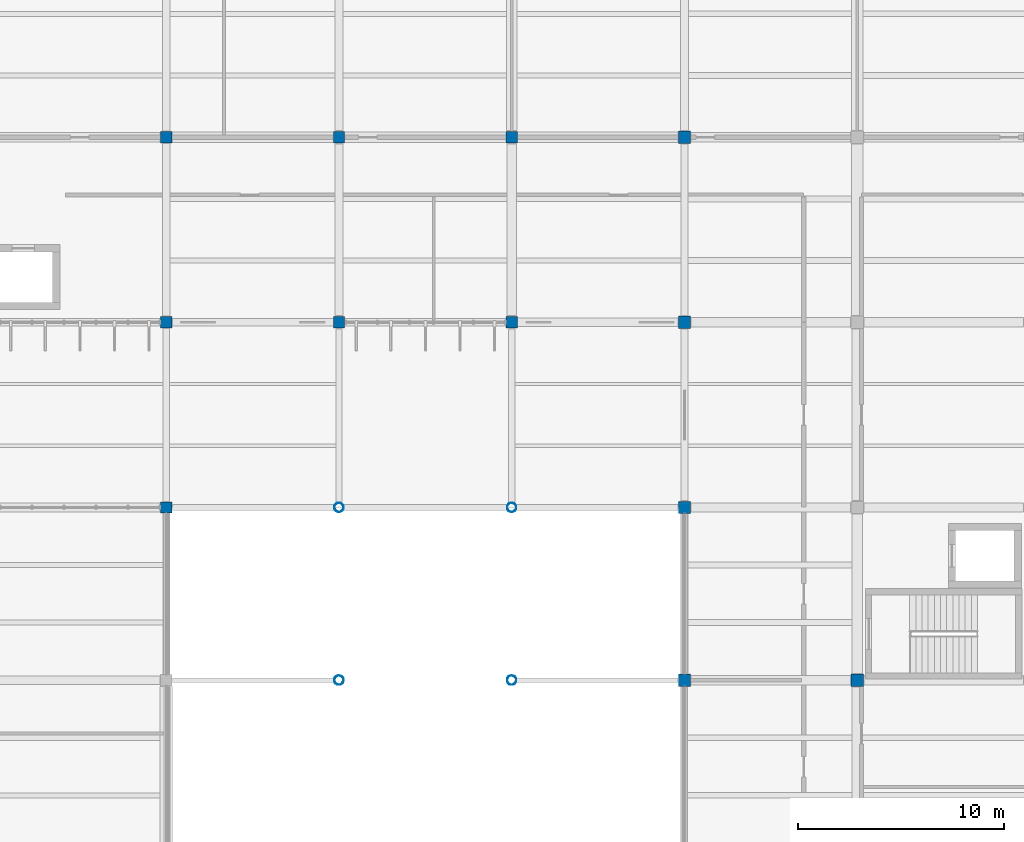
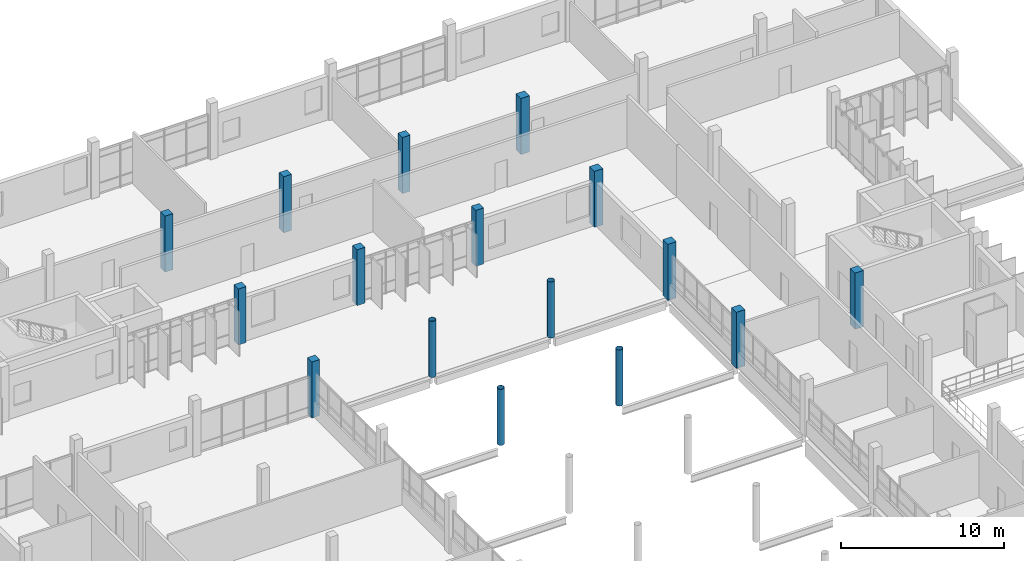
# One storey, part 6 of 130: 16 columns.
"""IFC4 building model written with IfcOpenShell, lengths in metres."""

from ifc_helpers import new_model, si_unit, direction, frame, origin, origin_2d, place, context, subcontext, project, spatial, rectangle, hollow_circle, extrude, material, material_profile, profile_set, type_object, element, save


model = new_model("IFC4")

# Units and contexts
model_context = context("Model", 3, precision=1e-05, world=origin(), true_north=direction((0.0, 1.0)))
body_context = subcontext(model_context, "Body", "Model", "MODEL_VIEW")
ifc_project = project(units=[si_unit("LENGTHUNIT", "METRE"), si_unit("AREAUNIT", "SQUARE_METRE"), si_unit("VOLUMEUNIT", "CUBIC_METRE"), si_unit("PLANEANGLEUNIT", "RADIAN"), si_unit("MASSUNIT", "GRAM", prefix="KILO")], contexts=[model_context])

# Site, building, storey
site_placement = place(None, origin())
site = spatial("IfcSite", under=ifc_project, at=site_placement, CompositionType="ELEMENT")
building_placement = place(site_placement, origin())
building = spatial("IfcBuilding", under=site, at=building_placement, Name="Vireocrest Preparatory School", CompositionType="ELEMENT")
storey_placement = place(building_placement, frame((0.0, 0.0, 9.0)))
storey = spatial("IfcBuildingStorey", under=building, at=storey_placement, Name="L02", CompositionType="ELEMENT", Elevation=9.0)

# Columns
ifc_material_1 = material(Name="Concrete 45 MPa", Category="concrete")
ifc_material_profile_1 = material_profile(ifc_material_1, rectangle(XDim=0.550048828125, YDim=0.550048828125, at=origin_2d()), Name="RC 550x550")
ifc_profile_set_1 = profile_set([ifc_material_profile_1], Name="Concrete 45 MPa")
column_type_1 = type_object("IfcColumnType", Name="RC Column 550x550", PredefinedType="COLUMN", material=ifc_profile_set_1)
for number, where, z_axis, x_axis, name in (
    (1, (67.199951171875, 85.800048828125, 0.0), (0.0, 0.0, 1.0), (1.0, 0.0, 0.0), "Column C04 L02 9/L"),
    (2, (67.199951171875, 94.800048828125, 0.0), (0.0, 0.0, 1.0), (1.0, 0.0, 0.0), "Column C04 L02 9/M"),
    (3, (67.199951171875, 103.800048828125, 0.0), (0.0, 0.0, 1.0), (1.0, 0.0, 0.0), "Column C04 L02 9/N"),
    (4, (75.60009765625, 94.800048828125, 0.0), (0.0, 0.0, 1.0), (1.0, 0.0, 0.0), "Column C04 L02 10/M"),
    (5, (75.60009765625, 103.800048828125, 0.0), (0.0, 0.0, 1.0), (1.0, 0.0, 0.0), "Column C04 L02 10/N"),
    (6, (84.0, 94.800048828125, 0.0), (0.0, 0.0, 1.0), (1.0, 0.0, 0.0), "Column C04 L02 11/M"),
    (7, (84.0, 103.800048828125, 0.0), (0.0, 0.0, 1.0), (1.0, 0.0, 0.0), "Column C04 L02 11/N"),
):
    element("IfcColumn", number, at=place(storey_placement, frame(where, z_axis=z_axis, x_axis=x_axis)), inside=storey, type_object=column_type_1, Name=name, PredefinedType="COLUMN", context=body_context, shape_type="SweptSolid", body=[
        extrude(rectangle(XDim=0.550048828125, YDim=0.550048828125, at=origin_2d()), origin(), (0.0, 0.0, 1.0), 4.199951171875),
    ])
ifc_material_profile_2 = material_profile(ifc_material_1, rectangle(XDim=0.60009765625, YDim=0.60009765625, at=origin_2d()), Name="RC 600x600")
ifc_profile_set_2 = profile_set([ifc_material_profile_2], Name="Concrete 45 MPa")
column_type_2 = type_object("IfcColumnType", Name="RC Column 600x600", PredefinedType="COLUMN", material=ifc_profile_set_2)
for number, where, z_axis, x_axis, name in (
    (8, (92.39990234375, 77.39990234375, 0.0), (0.0, 0.0, 1.0), (1.0, 0.0, 0.0), "Column C05 L02 12/K"),
    (9, (92.39990234375, 85.800048828125, 0.0), (0.0, 0.0, 1.0), (1.0, 0.0, 0.0), "Column C05 L02 12/L"),
    (10, (92.39990234375, 94.800048828125, 0.0), (0.0, 0.0, 1.0), (1.0, 0.0, 0.0), "Column C05 L02 12/M"),
    (11, (92.39990234375, 103.800048828125, 0.0), (0.0, 0.0, 1.0), (1.0, 0.0, 0.0), "Column C05 L02 12/N"),
    (12, (100.800048828125, 77.39990234375, 0.0), (0.0, 0.0, 1.0), (1.0, 0.0, 0.0), "Column C05 L02 13/K"),
):
    element("IfcColumn", number, at=place(storey_placement, frame(where, z_axis=z_axis, x_axis=x_axis)), inside=storey, type_object=column_type_2, Name=name, PredefinedType="COLUMN", context=body_context, shape_type="SweptSolid", body=[
        extrude(rectangle(XDim=0.60009765625, YDim=0.60009765625, at=origin_2d()), origin(), (0.0, 0.0, 1.0), 4.199951171875),
    ])
ifc_material_2 = material(Name="Painted white steel ASTM A500 Grade C", Category="steel")
ifc_material_profile_3 = material_profile(ifc_material_2, hollow_circle(Radius=0.228515625, WallThickness=0.0126953125, at=origin_2d()), Name="HSS18.000X0.500")
ifc_profile_set_3 = profile_set([ifc_material_profile_3], Name="Painted white steel ASTM A500 Grade C")
column_type_3 = type_object("IfcColumnType", Name="White Steel Court Trunk HSS18.000X0.500", PredefinedType="USERDEFINED", material=ifc_profile_set_3)
for number, where, z_axis, x_axis, name in (
    (13, (75.60009765625, 77.39990234375, 0.0), (0.0, 0.0, 1.0), (1.0, 0.0, 0.0), "Court Canopy Trunk VC2 W7 L02"),
    (14, (84.0, 77.39990234375, 0.0), (0.0, 0.0, 1.0), (1.0, 0.0, 0.0), "Court Canopy Trunk VC2 E7 L02"),
    (15, (75.60009765625, 85.800048828125, 0.0), (0.0, 0.0, 1.0), (1.0, 0.0, 0.0), "Court Canopy Trunk VC2 W8 L02"),
    (16, (84.0, 85.800048828125, 0.0), (0.0, 0.0, 1.0), (1.0, 0.0, 0.0), "Court Canopy Trunk VC2 E8 L02"),
):
    element("IfcColumn", number, at=place(storey_placement, frame(where, z_axis=z_axis, x_axis=x_axis)), inside=storey, type_object=column_type_3, Name=name, ObjectType="PILOTI", PredefinedType="USERDEFINED", context=body_context, shape_type="SweptSolid", body=[
        extrude(hollow_circle(Radius=0.228515625, WallThickness=0.0126953125, at=origin_2d()), origin(), (0.0, 0.0, 1.0), 4.199951171875),
    ])

save(model, "model.ifc")
